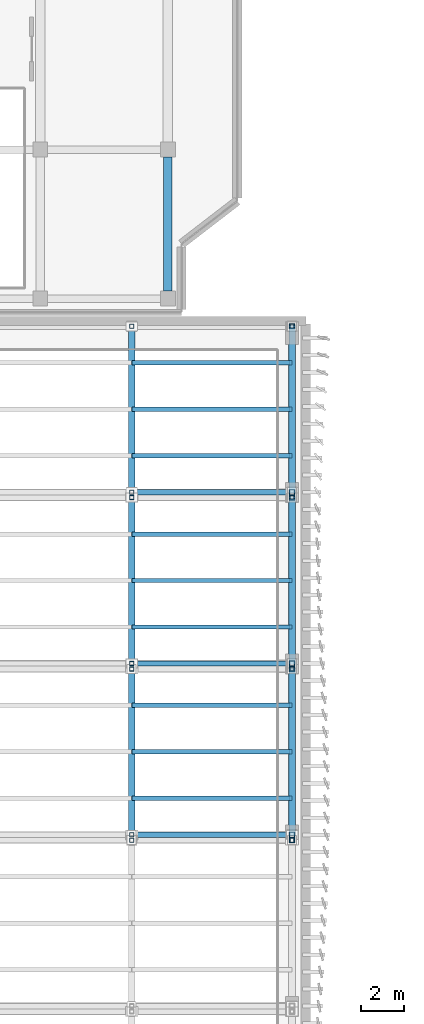
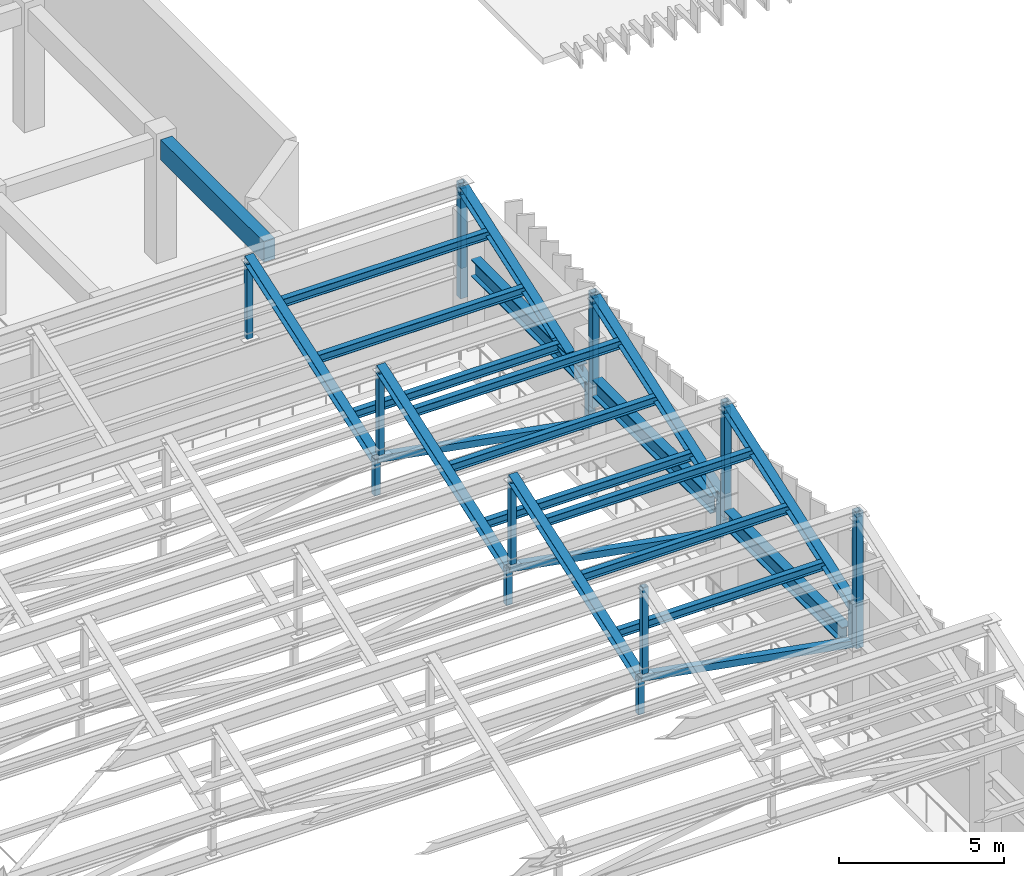
# One storey, part 15 of 76: 36 members, 4 beams.
"""IFC4 building model written with IfcOpenShell, lengths in metres."""

from ifc_helpers import new_model, si_unit, direction, frame, origin, origin_2d, place, context, subcontext, project, spatial, rectangle, hollow_rectangle, i_section, extrude, material, material_profile, profile_set, type_object, element, save


model = new_model("IFC4")

# Units and contexts
model_context = context("Model", 3, precision=1e-05, world=origin(), true_north=direction((0.0, 1.0)))
body_context = subcontext(model_context, "Body", "Model", "MODEL_VIEW")
ifc_project = project(units=[si_unit("LENGTHUNIT", "METRE"), si_unit("AREAUNIT", "SQUARE_METRE"), si_unit("VOLUMEUNIT", "CUBIC_METRE"), si_unit("PLANEANGLEUNIT", "RADIAN"), si_unit("MASSUNIT", "GRAM", prefix="KILO")], contexts=[model_context])

# Site, building, storey
site_placement = place(None, origin())
site = spatial("IfcSite", under=ifc_project, at=site_placement, CompositionType="ELEMENT")
building_placement = place(site_placement, origin())
building = spatial("IfcBuilding", under=site, at=building_placement, Name="Cinchona Park Media Centre", CompositionType="ELEMENT")
storey_placement = place(building_placement, frame((0.0, 0.0, 15.60009765625)))
storey = spatial("IfcBuildingStorey", under=building, at=storey_placement, Name="L03", CompositionType="ELEMENT", Elevation=15.60009765625)

# Beams
ifc_material_1 = material(Name="Concrete C35/45", Category="concrete")
ifc_material_profile_1 = material_profile(ifc_material_1, rectangle(XDim=0.39990234375, YDim=0.75, at=origin_2d()), Name="RB 400X750")
ifc_profile_set_1 = profile_set([ifc_material_profile_1], Name="Concrete C35/45")
beam_type_1 = type_object("IfcBeamType", Name="BEAM-B01-RB400X750", PredefinedType="BEAM", material=ifc_profile_set_1)
beam_1_placement = place(storey_placement, frame((39.56005859375, 64.989990234375, 4.1748046875), z_axis=(0.0, 1.0, 0.0), x_axis=(-1.0, 0.0, 0.0)))
element("IfcBeam", 1, at=beam_1_placement, inside=storey, type_object=beam_type_1, Name="Girder B01 L03", PredefinedType="BEAM", context=body_context, shape_type="SweptSolid", body=[
    extrude(rectangle(XDim=0.39990234375, YDim=0.75, at=origin_2d()), origin(), (0.0, 0.0, 1.0), 6.260009765625),
])
ifc_material_2 = material(Name="Steel S355", Category="steel")
ifc_material_profile_2 = material_profile(ifc_material_2, i_section(OverallWidth=0.3291015625, OverallDepth=0.635009765625, WebThickness=0.017822265625, FlangeThickness=0.031005859375, at=origin_2d()), Name="W610X241")
ifc_profile_set_2 = profile_set([ifc_material_profile_2], Name="Steel S355")
beam_type_2 = type_object("IfcBeamType", Name="BEAM-B05-W610X241", PredefinedType="BEAM", material=ifc_profile_set_2)
for number, where, z_axis, x_axis, name in (
    (2, (45.360107421875, 40.02001953125, 3.0498046875), (0.0, 1.0, 0.0), (-1.0, 0.0, 0.0), "Sawtooth Valley Edge Girder B05 V1"),
    (3, (45.360107421875, 48.02001953125, 3.0498046875), (0.0, 1.0, 0.0), (-1.0, 0.0, 0.0), "Sawtooth Valley Edge Girder B05 V1"),
):
    element("IfcBeam", number, at=place(storey_placement, frame(where, z_axis=z_axis, x_axis=x_axis)), inside=storey, type_object=beam_type_2, Name=name, PredefinedType="BEAM", context=body_context, shape_type="SweptSolid", body=[
        extrude(i_section(OverallWidth=0.3291015625, OverallDepth=0.635009765625, WebThickness=0.017822265625, FlangeThickness=0.031005859375, at=origin_2d()), origin(), (0.0, 0.0, 1.0), 7.159912109375),
    ])
beam_2_placement = place(storey_placement, frame((45.360107421875, 56.02001953125, 3.0498046875), z_axis=(0.0, 1.0, 0.0), x_axis=(-1.0, 0.0, 0.0)))
element("IfcBeam", 4, at=beam_2_placement, inside=storey, type_object=beam_type_2, Name="Sawtooth Valley Edge Girder B05 V1", PredefinedType="BEAM", context=body_context, shape_type="SweptSolid", body=[
    extrude(i_section(OverallWidth=0.3291015625, OverallDepth=0.635009765625, WebThickness=0.017822265625, FlangeThickness=0.031005859375, at=origin_2d()), origin(), (0.0, 0.0, 1.0), 6.52001953125),
])

# Members
ifc_material_3 = material(Name="Steel S355", Category="steel")
ifc_material_profile_3 = material_profile(ifc_material_3, i_section(OverallWidth=0.202880859375, OverallDepth=0.302978515625, WebThickness=0.007568359375, FlangeThickness=0.01318359375, at=origin_2d()), Name="W310X60")
ifc_profile_set_3 = profile_set([ifc_material_profile_3], Name="Steel S355")
member_type_1 = type_object("IfcMemberType", Name="MEMBER-PR01-W310X60", PredefinedType="PURLIN", material=ifc_profile_set_3)
for number, where, z_axis, x_axis, name in (
    (5, (37.8798828125, 41.304931640625, 4.912353515625), (1.0, 0.0, 0.0), (0.0, 1.0, 0.0), "Sawtooth Roof Purlin PR01"),
    (6, (37.8798828125, 43.47509765625, 5.66845703125), (1.0, 0.0, 0.0), (0.0, 1.0, 0.0), "Sawtooth Roof Purlin PR01"),
    (7, (37.8798828125, 45.64501953125, 6.42431640625), (1.0, 0.0, 0.0), (0.0, 1.0, 0.0), "Sawtooth Roof Purlin PR01"),
    (8, (37.8798828125, 49.304931640625, 4.1123046875), (1.0, 0.0, 0.0), (0.0, 1.0, 0.0), "Sawtooth Roof Purlin PR01"),
    (9, (37.8798828125, 51.47509765625, 4.868408203125), (1.0, 0.0, 0.0), (0.0, 1.0, 0.0), "Sawtooth Roof Purlin PR01"),
    (10, (37.8798828125, 53.64501953125, 5.62451171875), (1.0, 0.0, 0.0), (0.0, 1.0, 0.0), "Sawtooth Roof Purlin PR01"),
    (11, (37.8798828125, 57.304931640625, 3.3125), (1.0, 0.0, 0.0), (0.0, 1.0, 0.0), "Sawtooth Roof Purlin PR01"),
    (12, (37.8798828125, 59.47509765625, 4.068359375), (1.0, 0.0, 0.0), (0.0, 1.0, 0.0), "Sawtooth Roof Purlin PR01"),
    (13, (37.8798828125, 61.64501953125, 4.824462890625), (1.0, 0.0, 0.0), (0.0, 1.0, 0.0), "Sawtooth Roof Purlin PR01"),
):
    element("IfcMember", number, at=place(storey_placement, frame(where, z_axis=z_axis, x_axis=x_axis)), inside=storey, type_object=member_type_1, Name=name, PredefinedType="PURLIN", context=body_context, shape_type="SweptSolid", body=[
        extrude(i_section(OverallWidth=0.202880859375, OverallDepth=0.302978515625, WebThickness=0.007568359375, FlangeThickness=0.01318359375, at=origin_2d()), origin(), (0.0, 0.0, 1.0), 7.47021484375),
    ])
ifc_material_4 = material(Name="Steel S355", Category="steel")
ifc_material_profile_4 = material_profile(ifc_material_4, hollow_rectangle(XDim=0.199951171875, YDim=0.199951171875, WallThickness=0.012451171875, at=origin_2d()), Name="200X200X12.5SHS")
ifc_profile_set_4 = profile_set([ifc_material_profile_4], Name="Steel S355")
member_type_2 = type_object("IfcMemberType", Name="MEMBER-TS01-SHS200X200X12.5", PredefinedType="STRUT", material=ifc_profile_set_4)
for number, where, z_axis, x_axis, name in (
    (14, (37.8701171875, 39.35009765625, 4.699951171875), (0.0, 0.0, 1.0), (1.0, 0.0, 0.0), "ROOF TRUSS Monitor Post V1 Bay 4"),
    (15, (45.360107421875, 39.35009765625, 4.699951171875), (0.0, 0.0, 1.0), (1.0, 0.0, 0.0), "ROOF TRUSS Monitor Post V1 Bay 4"),
):
    element("IfcMember", number, at=place(storey_placement, frame(where, z_axis=z_axis, x_axis=x_axis)), inside=storey, type_object=member_type_2, Name=name, PredefinedType="STRUT", context=body_context, shape_type="SweptSolid", body=[
        extrude(hollow_rectangle(XDim=0.199951171875, YDim=0.199951171875, WallThickness=0.012451171875, at=origin_2d()), origin(), (0.0, 0.0, 1.0), 3.199951171875),
    ])
member_1_placement = place(storey_placement, frame((37.8701171875, 39.60009765625, 3.0498046875), z_axis=(0.0, 0.0, 1.0), x_axis=(1.0, 0.0, 0.0)))
element("IfcMember", 16, at=member_1_placement, inside=storey, type_object=member_type_2, Name="ROOF TRUSS Vertical Strut TN3", PredefinedType="STRUT", context=body_context, shape_type="SweptSolid", body=[
    extrude(hollow_rectangle(XDim=0.199951171875, YDim=0.199951171875, WallThickness=0.012451171875, at=origin_2d()), origin(), (0.0, 0.0, 1.0), 1.35009765625),
])
for number, where, z_axis, x_axis, name in (
    (17, (37.8701171875, 47.35009765625, 3.89990234375), (0.0, 0.0, 1.0), (1.0, 0.0, 0.0), "ROOF TRUSS Monitor Post V1 Bay 5"),
    (18, (45.360107421875, 47.35009765625, 3.89990234375), (0.0, 0.0, 1.0), (1.0, 0.0, 0.0), "ROOF TRUSS Monitor Post V1 Bay 5"),
):
    element("IfcMember", number, at=place(storey_placement, frame(where, z_axis=z_axis, x_axis=x_axis)), inside=storey, type_object=member_type_2, Name=name, PredefinedType="STRUT", context=body_context, shape_type="SweptSolid", body=[
        extrude(hollow_rectangle(XDim=0.199951171875, YDim=0.199951171875, WallThickness=0.012451171875, at=origin_2d()), origin(), (0.0, 0.0, 1.0), 3.199951171875),
    ])
member_2_placement = place(storey_placement, frame((37.8701171875, 47.60009765625, 2.25), z_axis=(0.0, 0.0, 1.0), x_axis=(1.0, 0.0, 0.0)))
element("IfcMember", 19, at=member_2_placement, inside=storey, type_object=member_type_2, Name="ROOF TRUSS Vertical Strut TN3", PredefinedType="STRUT", context=body_context, shape_type="SweptSolid", body=[
    extrude(hollow_rectangle(XDim=0.199951171875, YDim=0.199951171875, WallThickness=0.012451171875, at=origin_2d()), origin(), (0.0, 0.0, 1.0), 1.349853515625),
])
for number, where, z_axis, x_axis, name in (
    (20, (37.8701171875, 55.35009765625, 3.099853515625), (0.0, 0.0, 1.0), (1.0, 0.0, 0.0), "ROOF TRUSS Monitor Post V1 Bay 6"),
    (21, (45.360107421875, 55.35009765625, 3.099853515625), (0.0, 0.0, 1.0), (1.0, 0.0, 0.0), "ROOF TRUSS Monitor Post V1 Bay 6"),
):
    element("IfcMember", number, at=place(storey_placement, frame(where, z_axis=z_axis, x_axis=x_axis)), inside=storey, type_object=member_type_2, Name=name, PredefinedType="STRUT", context=body_context, shape_type="SweptSolid", body=[
        extrude(hollow_rectangle(XDim=0.199951171875, YDim=0.199951171875, WallThickness=0.012451171875, at=origin_2d()), origin(), (0.0, 0.0, 1.0), 3.199951171875),
    ])
member_3_placement = place(storey_placement, frame((37.8701171875, 55.60009765625, 1.449951171875), z_axis=(0.0, 0.0, 1.0), x_axis=(1.0, 0.0, 0.0)))
element("IfcMember", 22, at=member_3_placement, inside=storey, type_object=member_type_2, Name="ROOF TRUSS Vertical Strut TN3", PredefinedType="STRUT", context=body_context, shape_type="SweptSolid", body=[
    extrude(hollow_rectangle(XDim=0.199951171875, YDim=0.199951171875, WallThickness=0.012451171875, at=origin_2d()), origin(), (0.0, 0.0, 1.0), 1.349853515625),
])
for number, where, z_axis, x_axis, name in (
    (23, (37.8701171875, 63.35009765625, 2.5498046875), (0.0, 0.0, 1.0), (1.0, 0.0, 0.0), "ROOF TRUSS Monitor Post V1 Bay 7"),
    (24, (45.360107421875, 63.35009765625, 2.5498046875), (0.0, 0.0, 1.0), (1.0, 0.0, 0.0), "ROOF TRUSS Monitor Post V1 Bay 7"),
):
    element("IfcMember", number, at=place(storey_placement, frame(where, z_axis=z_axis, x_axis=x_axis)), inside=storey, type_object=member_type_2, Name=name, PredefinedType="STRUT", context=body_context, shape_type="SweptSolid", body=[
        extrude(hollow_rectangle(XDim=0.199951171875, YDim=0.199951171875, WallThickness=0.012451171875, at=origin_2d()), origin(), (0.0, 0.0, 1.0), 2.9501953125),
    ])
ifc_material_5 = material(Name="Steel S355", Category="steel")
ifc_material_profile_5 = material_profile(ifc_material_5, hollow_rectangle(XDim=0.25, YDim=0.25, WallThickness=0.01611328125, at=origin_2d()), Name="250X250X16SHS")
ifc_profile_set_5 = profile_set([ifc_material_profile_5], Name="Steel S355")
member_type_3 = type_object("IfcMemberType", Name="MEMBER-TS02-SHS250X250X16", PredefinedType="STRUT", material=ifc_profile_set_5)
member_4_placement = place(storey_placement, frame((45.360107421875, 39.35009765625, 3.0498046875), z_axis=(0.0, 0.0, 1.0), x_axis=(1.0, 0.0, 0.0)))
element("IfcMember", 25, at=member_4_placement, inside=storey, type_object=member_type_3, Name="Sawtooth Bearing Post TS02 V1 B4", PredefinedType="STRUT", context=body_context, shape_type="SweptSolid", body=[
    extrude(hollow_rectangle(XDim=0.25, YDim=0.25, WallThickness=0.01611328125, at=origin_2d()), origin(), (0.0, 0.0, 1.0), 5.0400390625),
])
member_5_placement = place(storey_placement, frame((45.360107421875, 39.60009765625, 3.0498046875), z_axis=(0.0, 0.0, 1.0), x_axis=(1.0, 0.0, 0.0)))
element("IfcMember", 26, at=member_5_placement, inside=storey, type_object=member_type_3, Name="Sawtooth Bearing Post TS02 V1 B5", PredefinedType="STRUT", context=body_context, shape_type="SweptSolid", body=[
    extrude(hollow_rectangle(XDim=0.25, YDim=0.25, WallThickness=0.01611328125, at=origin_2d()), origin(), (0.0, 0.0, 1.0), 1.5400390625),
])
member_6_placement = place(storey_placement, frame((45.360107421875, 47.35009765625, 3.0498046875), z_axis=(0.0, 0.0, 1.0), x_axis=(1.0, 0.0, 0.0)))
element("IfcMember", 27, at=member_6_placement, inside=storey, type_object=member_type_3, Name="Sawtooth Bearing Post TS02 V1 B5", PredefinedType="STRUT", context=body_context, shape_type="SweptSolid", body=[
    extrude(hollow_rectangle(XDim=0.25, YDim=0.25, WallThickness=0.01611328125, at=origin_2d()), origin(), (0.0, 0.0, 1.0), 4.239990234375),
])
member_7_placement = place(storey_placement, frame((37.8701171875, 39.60009765625, 4.39990234375), z_axis=(0.984139781218, 0.0, -0.177394732232), x_axis=(0.0, 1.0, 0.0)))
element("IfcMember", 28, at=member_7_placement, inside=storey, type_object=member_type_3, Name="ROOF TRUSS Web Diagonal TN4", PredefinedType="STRUT", context=body_context, shape_type="SweptSolid", body=[
    extrude(hollow_rectangle(XDim=0.25, YDim=0.25, WallThickness=0.01611328125, at=origin_2d()), origin(), (0.0, 0.0, 1.0), 7.610595703125),
])
member_8_placement = place(storey_placement, frame((45.360107421875, 47.60009765625, 2.25), z_axis=(0.0, 0.0, 1.0), x_axis=(1.0, 0.0, 0.0)))
element("IfcMember", 29, at=member_8_placement, inside=storey, type_object=member_type_3, Name="Sawtooth Bearing Post TS02 V1 B6", PredefinedType="STRUT", context=body_context, shape_type="SweptSolid", body=[
    extrude(hollow_rectangle(XDim=0.25, YDim=0.25, WallThickness=0.01611328125, at=origin_2d()), origin(), (0.0, 0.0, 1.0), 1.539794921875),
])
member_9_placement = place(storey_placement, frame((45.360107421875, 55.35009765625, 2.25), z_axis=(0.0, 0.0, 1.0), x_axis=(1.0, 0.0, 0.0)))
element("IfcMember", 30, at=member_9_placement, inside=storey, type_object=member_type_3, Name="Sawtooth Bearing Post TS02 V1 B6", PredefinedType="STRUT", context=body_context, shape_type="SweptSolid", body=[
    extrude(hollow_rectangle(XDim=0.25, YDim=0.25, WallThickness=0.01611328125, at=origin_2d()), origin(), (0.0, 0.0, 1.0), 4.239990234375),
])
member_10_placement = place(storey_placement, frame((37.8701171875, 47.60009765625, 3.599853515625), z_axis=(0.984145381083, 0.0, -0.177363662832), x_axis=(0.0, 1.0, 0.0)))
element("IfcMember", 31, at=member_10_placement, inside=storey, type_object=member_type_3, Name="ROOF TRUSS Web Diagonal TN4", PredefinedType="STRUT", context=body_context, shape_type="SweptSolid", body=[
    extrude(hollow_rectangle(XDim=0.25, YDim=0.25, WallThickness=0.01611328125, at=origin_2d()), origin(), (0.0, 0.0, 1.0), 7.610595703125),
])
member_11_placement = place(storey_placement, frame((45.360107421875, 55.60009765625, 1.449951171875), z_axis=(0.0, 0.0, 1.0), x_axis=(1.0, 0.0, 0.0)))
element("IfcMember", 32, at=member_11_placement, inside=storey, type_object=member_type_3, Name="Sawtooth Bearing Post TS02 V1 B7", PredefinedType="STRUT", context=body_context, shape_type="SweptSolid", body=[
    extrude(hollow_rectangle(XDim=0.25, YDim=0.25, WallThickness=0.01611328125, at=origin_2d()), origin(), (0.0, 0.0, 1.0), 1.5400390625),
])
member_12_placement = place(storey_placement, frame((45.360107421875, 63.35009765625, 1.449951171875), z_axis=(0.0, 0.0, 1.0), x_axis=(1.0, 0.0, 0.0)))
element("IfcMember", 33, at=member_12_placement, inside=storey, type_object=member_type_3, Name="Sawtooth Bearing Post TS02 V1 B7", PredefinedType="STRUT", context=body_context, shape_type="SweptSolid", body=[
    extrude(hollow_rectangle(XDim=0.25, YDim=0.25, WallThickness=0.01611328125, at=origin_2d()), origin(), (0.0, 0.0, 1.0), 4.239990234375),
])
member_13_placement = place(storey_placement, frame((37.8701171875, 55.60009765625, 2.7998046875), z_axis=(0.984145381083, 0.0, -0.177363662832), x_axis=(0.0, 1.0, 0.0)))
element("IfcMember", 34, at=member_13_placement, inside=storey, type_object=member_type_3, Name="ROOF TRUSS Web Diagonal TN4", PredefinedType="STRUT", context=body_context, shape_type="SweptSolid", body=[
    extrude(hollow_rectangle(XDim=0.25, YDim=0.25, WallThickness=0.01611328125, at=origin_2d()), origin(), (0.0, 0.0, 1.0), 7.610595703125),
])
ifc_material_6 = material(Name="Steel S355", Category="steel")
ifc_material_profile_6 = material_profile(ifc_material_6, i_section(OverallWidth=0.304931640625, OverallDepth=0.30810546875, WebThickness=0.010009765625, FlangeThickness=0.015380859375, at=origin_2d()), Name="W310X97")
ifc_profile_set_6 = profile_set([ifc_material_profile_6], Name="Steel S355")
member_type_4 = type_object("IfcMemberType", Name="MEMBER-TS06-W310X97", PredefinedType="STRUT", material=ifc_profile_set_6)
for number, where, z_axis, x_axis, name in (
    (35, (37.8701171875, 39.60009765625, 4.39990234375), (0.0, 0.944334143314, 0.328987880888), (-1.0, 0.0, 0.0), "ROOF TRUSS Sawtooth Rafter V1 Bay 5"),
    (36, (45.360107421875, 39.60009765625, 4.39990234375), (0.0, 0.944334143314, 0.328987880888), (-1.0, 0.0, 0.0), "ROOF TRUSS Sawtooth Rafter V1 Bay 5"),
    (37, (37.8701171875, 47.60009765625, 3.599853515625), (0.0, 0.944334143314, 0.328987880888), (-1.0, 0.0, 0.0), "ROOF TRUSS Sawtooth Rafter V1 Bay 6"),
    (38, (45.360107421875, 47.60009765625, 3.599853515625), (0.0, 0.944334143314, 0.328987880888), (-1.0, 0.0, 0.0), "ROOF TRUSS Sawtooth Rafter V1 Bay 6"),
):
    element("IfcMember", number, at=place(storey_placement, frame(where, z_axis=z_axis, x_axis=x_axis)), inside=storey, type_object=member_type_4, Name=name, PredefinedType="STRUT", context=body_context, shape_type="SweptSolid", body=[
        extrude(i_section(OverallWidth=0.304931640625, OverallDepth=0.30810546875, WebThickness=0.010009765625, FlangeThickness=0.015380859375, at=origin_2d()), origin(), (0.0, 0.0, 1.0), 8.206787109375),
    ])
for number, where, z_axis, x_axis, name in (
    (39, (37.8701171875, 55.60009765625, 2.7998046875), (0.0, 0.944324900954, 0.329014409165), (-1.0, 0.0, 0.0), "ROOF TRUSS Sawtooth Rafter V1 Bay 7"),
    (40, (45.360107421875, 55.60009765625, 2.7998046875), (0.0, 0.944324900954, 0.329014409165), (-1.0, 0.0, 0.0), "ROOF TRUSS Sawtooth Rafter V1 Bay 7"),
):
    element("IfcMember", number, at=place(storey_placement, frame(where, z_axis=z_axis, x_axis=x_axis)), inside=storey, type_object=member_type_4, Name=name, PredefinedType="STRUT", context=body_context, shape_type="SweptSolid", body=[
        extrude(i_section(OverallWidth=0.304931640625, OverallDepth=0.30810546875, WebThickness=0.010009765625, FlangeThickness=0.015380859375, at=origin_2d()), origin(), (0.0, 0.0, 1.0), 8.20703125),
    ])

save(model, "model.ifc")
